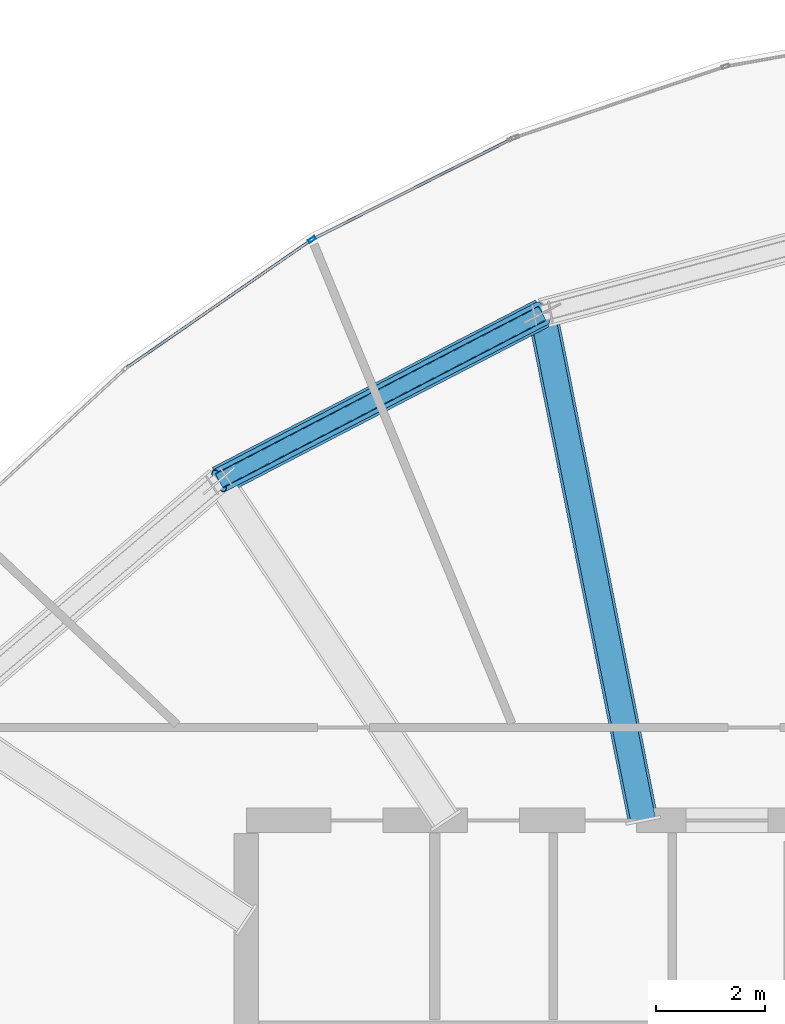
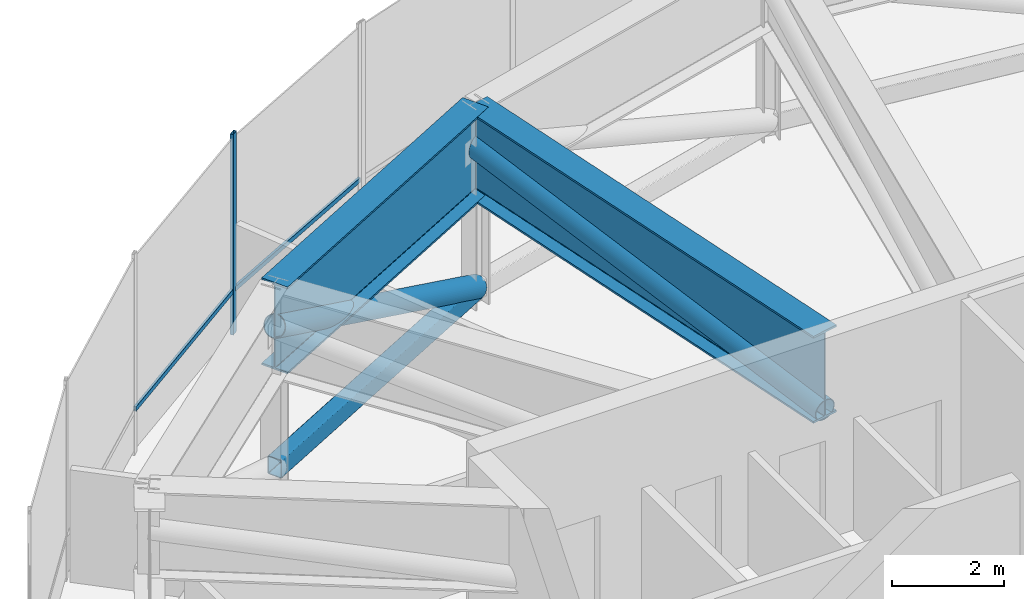
# One storey, part 16 of 26: 6 members, 2 beams, 1 element without a shape of its own.
"""IFC4 building model written with IfcOpenShell, lengths in metres."""

from ifc_helpers import new_model, si_unit, direction, frame, origin, origin_2d, place, context, subcontext, project, spatial, hollow_rectangle, hollow_circle, i_section, extrude, source, transform, mapped, material, layer, layer_set, material_profile, profile_set, type_object, element, aggregate, save


model = new_model("IFC4")

# Units and contexts
model_context = context("Model", 3, precision=1e-05, world=origin(), true_north=direction((0.0, 1.0)))
body_context = subcontext(model_context, "Body", "Model", "MODEL_VIEW")
ifc_project = project(units=[si_unit("LENGTHUNIT", "METRE"), si_unit("AREAUNIT", "SQUARE_METRE"), si_unit("VOLUMEUNIT", "CUBIC_METRE"), si_unit("PLANEANGLEUNIT", "RADIAN"), si_unit("MASSUNIT", "GRAM", prefix="KILO"), si_unit("THERMODYNAMICTEMPERATUREUNIT", "KELVIN")], contexts=[model_context])

# Site, building, storey
site_placement = place(None, origin())
site = spatial("IfcSite", under=ifc_project, at=site_placement, CompositionType="ELEMENT")
building_placement = place(site_placement, origin())
building = spatial("IfcBuilding", under=site, at=building_placement, Name="Kethvar Cultural Tower", CompositionType="ELEMENT")
storey_placement = place(building_placement, frame((0.0, 0.0, 223.60009765625)))
storey = spatial("IfcBuildingStorey", under=building, at=storey_placement, Name="L58", CompositionType="ELEMENT", Elevation=223.60009765625)

# Beam
ifc_material_1 = material(Name="Steel S460M", Category="steel")
ifc_material_profile_1 = material_profile(ifc_material_1, i_section(OverallWidth=0.550048828125, OverallDepth=1.89990234375, WebThickness=0.02490234375, FlangeThickness=0.0400390625, FilletRadius=0.02001953125, at=origin_2d()), Name="Steel S460M — PG1900x550x40x25")
ifc_profile_set_1 = profile_set([ifc_material_profile_1], Name="Steel S460M — PG1900x550x40x25")
beam_type = type_object("IfcBeamType", Name="BM-TR1900", PredefinedType="BEAM", material=ifc_profile_set_1)
shared_shape_1 = source(origin(), body_context, "Body", "SweptSolid", [
    extrude(i_section(OverallWidth=0.550048828125, OverallDepth=1.89990234375, WebThickness=0.02490234375, FlangeThickness=0.0400390625, FilletRadius=0.02001953125, at=origin_2d()), origin(), (0.0, 0.0, 1.0), 9.47119140625),
])
beam_1_placement = place(storey_placement, frame((45.268310546875, 35.5, 3.427978515625), z_axis=(-0.195079990396, 0.980787335434, 0.0), x_axis=(-0.980787335434, -0.195079990396, 0.0)))
element("IfcBeam", 1, at=beam_1_placement, inside=storey, type_object=beam_type, Name="L58 Outrigger Transfer Girder OG-05", PredefinedType="BEAM", context=body_context, shape_type="MappedRepresentation", body=[
    mapped(shared_shape_1, transform((0.0, 0.0, 0.0), scale=1.0)),
])

# Member
ifc_material_2 = material(Name="Steel S355J2", Category="steel")
ifc_material_profile_2 = material_profile(ifc_material_2, hollow_circle(Radius=0.228515625, WallThickness=0.01611328125, at=origin_2d()), Name="Steel S355J2 — CHS457x16")
ifc_profile_set_2 = profile_set([ifc_material_profile_2], Name="Steel S355J2 — CHS457x16")
member_type_1 = type_object("IfcMemberType", Name="MB-OUT-457", PredefinedType="BRACE", material=ifc_profile_set_2)
shared_shape_2 = source(origin(), body_context, "Body", "SweptSolid", [
    extrude(hollow_circle(Radius=0.228515625, WallThickness=0.01611328125, at=origin_2d()), origin(), (0.0, 0.0, 1.0), 9.503173828125),
])
member_1_placement = place(storey_placement, frame((45.268310546875, 35.5, 2.64990234375), z_axis=(-0.194425024627, 0.977494418871, 0.081875337405), x_axis=(-0.980787335434, -0.195079990396, 0.0)))
element("IfcMember", 2, at=member_1_placement, inside=storey, type_object=member_type_1, Name="L58 Outrigger Truss Diagonal OB-05", PredefinedType="BRACE", context=body_context, shape_type="MappedRepresentation", body=[
    mapped(shared_shape_2, transform((0.0, 0.0, 0.0), scale=1.0)),
])

# Beam
shared_shape_3 = source(origin(), body_context, "Body", "SweptSolid", [
    extrude(i_section(OverallWidth=0.550048828125, OverallDepth=1.89990234375, WebThickness=0.02490234375, FlangeThickness=0.0400390625, FilletRadius=0.02001953125, at=origin_2d()), origin(), (0.0, 0.0, 1.0), 6.669921875),
])
beam_2_placement = place(storey_placement, frame((43.420654296875, 44.789306640625, 3.427978515625), z_axis=(-0.887861983948, -0.460109875421, 0.0), x_axis=(0.460109875421, -0.887861983948, 0.0)))
element("IfcBeam", 3, at=beam_2_placement, inside=storey, type_object=beam_type, Name="L58 Ring Belt Girder BG-05", PredefinedType="BEAM", context=body_context, shape_type="MappedRepresentation", body=[
    mapped(shared_shape_3, transform((0.0, 0.0, 0.0), scale=1.0)),
])

# Members
ifc_material_profile_3 = material_profile(ifc_material_1, hollow_rectangle(XDim=0.300048828125, YDim=0.39990234375, WallThickness=0.01611328125, InnerFilletRadius=0.01611328125, OuterFilletRadius=0.031982421875, at=origin_2d()), Name="Steel S460M — RHS400x300x16")
ifc_profile_set_3 = profile_set([ifc_material_profile_3], Name="Steel S460M — RHS400x300x16")
member_type_2 = type_object("IfcMemberType", Name="MB-CHD-400", PredefinedType="CHORD", material=ifc_profile_set_3)
shared_shape_4 = source(origin(), body_context, "Body", "SweptSolid", [
    extrude(hollow_rectangle(XDim=0.300048828125, YDim=0.39990234375, WallThickness=0.01611328125, InnerFilletRadius=0.01611328125, OuterFilletRadius=0.031982421875, at=origin_2d()), origin(), (0.0, 0.0, 1.0), 6.669921875),
])
member_2_placement = place(storey_placement, frame((43.420654296875, 44.789306640625, 0.349853515625), z_axis=(-0.887861983948, -0.460109875421, 0.0), x_axis=(0.460109875421, -0.887861983948, 0.0)))
element("IfcMember", 4, at=member_2_placement, inside=storey, type_object=member_type_2, Name="L58 Ring Belt Bottom Chord BC-05", PredefinedType="CHORD", context=body_context, shape_type="MappedRepresentation", body=[
    mapped(shared_shape_4, transform((0.0, 0.0, 0.0), scale=1.0)),
])
shared_shape_5 = source(origin(), body_context, "Body", "SweptSolid", [
    extrude(hollow_circle(Radius=0.228515625, WallThickness=0.01611328125, at=origin_2d()), origin(), (0.0, 0.0, 1.0), 7.345947265625),
])
member_3_placement = place(storey_placement, frame((43.420654296875, 44.789306640625, 0.349853515625), z_axis=(-0.80615416589, -0.417767062386, 0.419030001795), x_axis=(0.460109875421, -0.887861983948, 0.0)))
element("IfcMember", 5, at=member_3_placement, inside=storey, type_object=member_type_1, Name="L58 Ring Belt Diagonal BD-05", PredefinedType="BRACE", context=body_context, shape_type="MappedRepresentation", body=[
    mapped(shared_shape_5, transform((0.0, 0.0, 0.0), scale=1.0)),
])

# Curtain wall, members
ifc_material_3 = material(Name="Aluminium 6063-T6", Category="aluminium")
ifc_layer = layer(ifc_material_3, 0.179931640625, Name="Aluminium 6063-T6", Category="aluminium")
ifc_layer_set = layer_set([ifc_layer], Name="Aluminium 6063-T6 (180 mm)")
curtain_wall_type = type_object("IfcCurtainWallType", Name="CW-SYS-04-Z34", PredefinedType="NOTDEFINED", material=ifc_layer_set)
curtain_wall_placement = place(storey_placement, origin())
curtain_wall = element("IfcCurtainWall", 6, at=curtain_wall_placement, inside=storey, type_object=curtain_wall_type, Name="L58 Curtain Wall Run 02", PredefinedType="NOTDEFINED")
ifc_material_profile_4 = material_profile(ifc_material_3, hollow_rectangle(XDim=0.06005859375, YDim=0.139892578125, WallThickness=0.0048828125, at=origin_2d()), Name="Aluminium 6063-T6 — RHS140x60x5")
ifc_profile_set_4 = profile_set([ifc_material_profile_4], Name="Aluminium 6063-T6 — RHS140x60x5")
member_type_3 = type_object("IfcMemberType", Name="CW-SYS-04-Z34-MUL", PredefinedType="MULLION", material=ifc_profile_set_4)
shared_shape_6 = source(origin(), body_context, "Body", "SweptSolid", [
    extrude(hollow_rectangle(XDim=0.06005859375, YDim=0.139892578125, WallThickness=0.0048828125, at=origin_2d()), origin(), (0.0, 0.0, 1.0), 4.3798828125),
])
member_4_placement = place(storey_placement, frame((39.20068359375, 46.141357421875, 0.0), z_axis=(0.0, 0.0, 1.0), x_axis=(0.568906387699, -0.822402287227, 0.0)))
member_4 = element("IfcMember", 7, at=member_4_placement, type_object=member_type_3, Name="CW-L58-R02 Mullion 2", PredefinedType="MULLION", context=body_context, shape_type="MappedRepresentation", body=[
    mapped(shared_shape_6, transform((0.0, 0.0, 0.0), scale=1.0)),
])
ifc_material_profile_5 = material_profile(ifc_material_3, hollow_rectangle(XDim=0.050048828125, YDim=0.10009765625, WallThickness=0.00390625, at=origin_2d()), Name="Aluminium 6063-T6 — RHS100x50x4")
ifc_profile_set_5 = profile_set([ifc_material_profile_5], Name="Aluminium 6063-T6 — RHS100x50x4")
member_type_4 = type_object("IfcMemberType", Name="CW-SYS-04-Z34-TRN", PredefinedType="USERDEFINED", material=ifc_profile_set_5)
shared_shape_7 = source(origin(), body_context, "Body", "SweptSolid", [
    extrude(hollow_rectangle(XDim=0.050048828125, YDim=0.10009765625, WallThickness=0.00390625, at=origin_2d()), origin(), (0.0, 0.0, 1.0), 4.072265625),
])
member_5_placement = place(storey_placement, frame((42.86328125, 47.98486328125, 0.949951171875), z_axis=(-0.893116401038, -0.449825626434, 0.0), x_axis=(0.449825626434, -0.893116401038, 0.0)))
member_5 = element("IfcMember", 8, at=member_5_placement, type_object=member_type_4, Name="CW-L58-R02 Transom 1", ObjectType="TRANSOM", PredefinedType="USERDEFINED", context=body_context, shape_type="MappedRepresentation", body=[
    mapped(shared_shape_7, transform((0.0, 0.0, 0.0), scale=1.0)),
])
shared_shape_8 = source(origin(), body_context, "Body", "SweptSolid", [
    extrude(hollow_rectangle(XDim=0.050048828125, YDim=0.10009765625, WallThickness=0.00390625, at=origin_2d()), origin(), (0.0, 0.0, 1.0), 4.074462890625),
])
member_6_placement = place(storey_placement, frame((39.165283203125, 46.11669921875, 0.949951171875), z_axis=(-0.822414315694, -0.56888899914, 0.0), x_axis=(0.56888899914, -0.822414315694, 0.0)))
member_6 = element("IfcMember", 9, at=member_6_placement, type_object=member_type_4, Name="CW-L58-R02 Transom 2", ObjectType="TRANSOM", PredefinedType="USERDEFINED", context=body_context, shape_type="MappedRepresentation", body=[
    mapped(shared_shape_8, transform((0.0, 0.0, 0.0), scale=1.0)),
])
aggregate(curtain_wall, [member_4, member_5, member_6])

save(model, "model.ifc")
